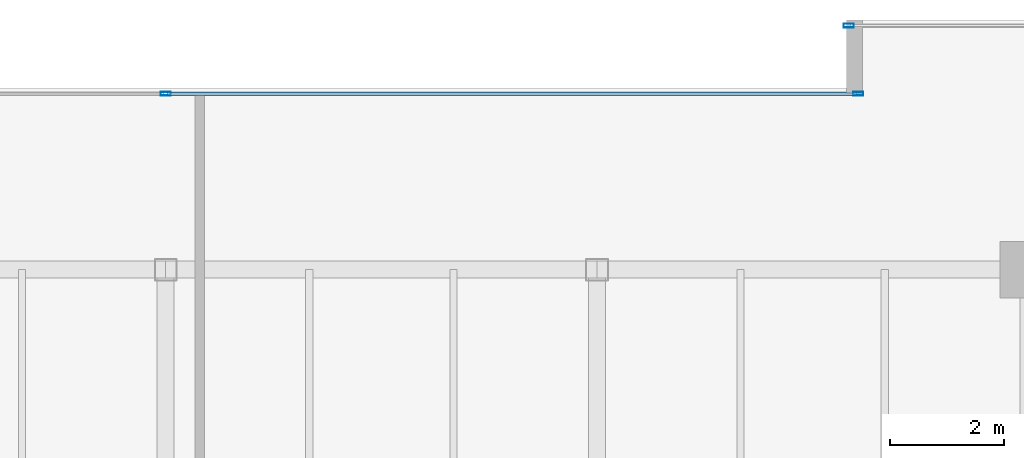
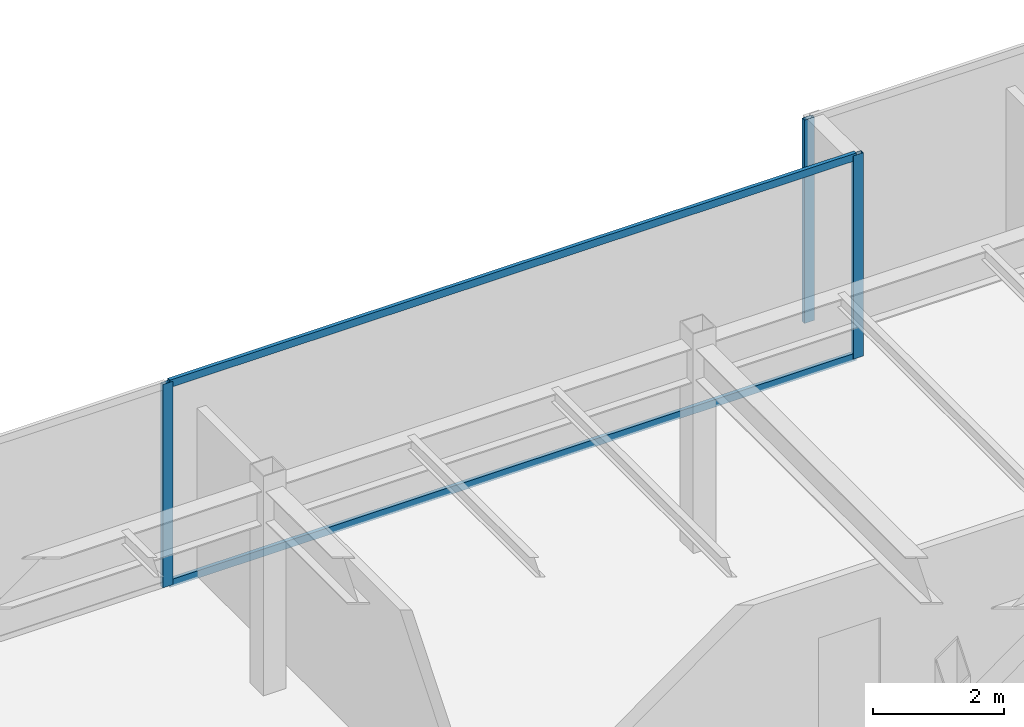
# One storey, part 19 of 33: 5 members, 2 elements without a shape of their own.
"""IFC4 building model written with IfcOpenShell, lengths in metres."""

from ifc_helpers import new_model, si_unit, direction, frame, origin, origin_2d, place, context, subcontext, project, spatial, hollow_rectangle, extrude, source, transform, mapped, material, layer, layer_set, material_profile, profile_set, type_object, type_shapes, element, aggregate, save


model = new_model("IFC4")

# Units and contexts
model_context = context("Model", 3, precision=1e-05, world=origin(), true_north=direction((0.0, 1.0)))
body_context = subcontext(model_context, "Body", "Model", "MODEL_VIEW")
ifc_project = project(units=[si_unit("LENGTHUNIT", "METRE"), si_unit("AREAUNIT", "SQUARE_METRE"), si_unit("VOLUMEUNIT", "CUBIC_METRE"), si_unit("PLANEANGLEUNIT", "RADIAN"), si_unit("MASSUNIT", "GRAM", prefix="KILO")], contexts=[model_context])

# Site, building, storey
site_placement = place(None, origin())
site = spatial("IfcSite", under=ifc_project, at=site_placement, CompositionType="ELEMENT")
building_placement = place(site_placement, origin())
building = spatial("IfcBuilding", under=site, at=building_placement, Name="Haelvirn Gate Laboratories", CompositionType="ELEMENT")
storey_placement = place(building_placement, frame((0.0, 0.0, 271.10009765625)))
storey = spatial("IfcBuildingStorey", under=building, at=storey_placement, Name="L65", CompositionType="ELEMENT", Elevation=271.10009765625)

# Curtain wall, members
ifc_material_1 = material(Name="Anodised bronze unitised aluminium & triple low-E glass", Category="aluminium")
ifc_layer = layer(ifc_material_1, 0.176025390625, Name="CW-SYS-4")
ifc_layer_set = layer_set([ifc_layer], Name="Anodised bronze unitised aluminium & triple low-E glass")
curtain_wall_type = type_object("IfcCurtainWallType", Name="CW-SYS-4", PredefinedType="NOTDEFINED", material=ifc_layer_set)
curtain_wall_1_placement = place(storey_placement, origin())
curtain_wall_1 = element("IfcCurtainWall", 1, at=curtain_wall_1_placement, inside=storey, type_object=curtain_wall_type, Name="L65 Unitised Curtain Wall CW-L65-P0-E12-1", PredefinedType="NOTDEFINED")
ifc_material_2 = material(Name="Extruded aluminium 6063-T6 (anodised bronze)", Category="aluminium")
ifc_material_profile_1 = material_profile(ifc_material_2, hollow_rectangle(XDim=0.06494140625, YDim=0.139892578125, WallThickness=0.00390625, at=origin_2d()), Name="CWT-140x65x4")
ifc_profile_set_1 = profile_set([ifc_material_profile_1], Name="Extruded aluminium 6063-T6 (anodised bronze)")
member_type_1 = type_object("IfcMemberType", Name="CWT-T140", PredefinedType="USERDEFINED", material=ifc_profile_set_1)
shared_shape_1 = source(origin(), body_context, "Body", "SweptSolid", [
    extrude(hollow_rectangle(XDim=0.06494140625, YDim=0.139892578125, WallThickness=0.00390625, at=origin_2d()), origin(), (0.0, 0.0, 1.0), 12.135009765625),
])
type_shapes(member_type_1, [shared_shape_1])
member_1_placement = place(storey_placement, frame((37.43505859375, 44.699951171875, 0.032470703125), z_axis=(1.0, 0.0, 0.0), x_axis=(0.0, 1.0, 0.0)))
member_1 = element("IfcMember", 2, at=member_1_placement, type_object=member_type_1, Name="CW4 transom 2.1", ObjectType="TRANSOM", PredefinedType="USERDEFINED", context=body_context, shape_type="MappedRepresentation", body=[
    mapped(shared_shape_1, transform((0.0, 0.0, 0.0), scale=1.0)),
])
member_2_placement = place(storey_placement, frame((37.43505859375, 44.699951171875, 3.767333984375), z_axis=(1.0, 0.0, 0.0), x_axis=(0.0, 1.0, 0.0)))
member_2 = element("IfcMember", 3, at=member_2_placement, type_object=member_type_1, Name="CW4 transom 2.2", ObjectType="TRANSOM", PredefinedType="USERDEFINED", context=body_context, shape_type="MappedRepresentation", body=[
    mapped(shared_shape_1, transform((0.0, 0.0, 0.0), scale=1.0)),
])

# Curtain wall, member
curtain_wall_2_placement = place(storey_placement, origin())
curtain_wall_2 = element("IfcCurtainWall", 4, at=curtain_wall_2_placement, inside=storey, type_object=curtain_wall_type, Name="L65 Unitised Curtain Wall CW-L65-P0-E10-1", PredefinedType="NOTDEFINED")
ifc_material_profile_2 = material_profile(ifc_material_2, hollow_rectangle(XDim=0.070068359375, YDim=0.179931640625, WallThickness=0.0048828125, at=origin_2d()), Name="CWM-180x70x5")
ifc_profile_set_2 = profile_set([ifc_material_profile_2], Name="Extruded aluminium 6063-T6 (anodised bronze)")
member_type_2 = type_object("IfcMemberType", Name="CWM-T180", PredefinedType="MULLION", material=ifc_profile_set_2)
shared_shape_2 = source(origin(), body_context, "Body", "SweptSolid", [
    extrude(hollow_rectangle(XDim=0.070068359375, YDim=0.179931640625, WallThickness=0.0048828125, at=origin_2d()), origin(), (0.0, 0.0, 1.0), 3.7998046875),
])
type_shapes(member_type_2, [shared_shape_2])
member_3_placement = place(storey_placement, frame((49.43505859375, 45.89990234375, 0.0), z_axis=(0.0, 0.0, 1.0), x_axis=(0.0, 1.0, 0.0)))
member_3 = element("IfcMember", 5, at=member_3_placement, type_object=member_type_2, Name="CW4 mullion 1", PredefinedType="MULLION", context=body_context, shape_type="MappedRepresentation", body=[
    mapped(shared_shape_2, transform((0.0, 0.0, 0.0), scale=1.0)),
])
aggregate(curtain_wall_2, [member_3])

# Member
member_4_placement = place(storey_placement, frame((37.39990234375, 44.699951171875, 0.0), z_axis=(0.0, 0.0, 1.0), x_axis=(0.0, 1.0, 0.0)))
member_4 = element("IfcMember", 6, at=member_4_placement, type_object=member_type_2, Name="CW4 mullion 2", PredefinedType="MULLION", context=body_context, shape_type="MappedRepresentation", body=[
    mapped(shared_shape_2, transform((0.0, 0.0, 0.0), scale=1.0)),
])

member_5_placement = place(storey_placement, frame((49.60498046875, 44.699951171875, 0.0), z_axis=(0.0, 0.0, 1.0), x_axis=(0.0, 1.0, 0.0)))
member_5 = element("IfcMember", 7, at=member_5_placement, type_object=member_type_2, Name="CW4 mullion 3", PredefinedType="MULLION", context=body_context, shape_type="MappedRepresentation", body=[
    mapped(shared_shape_2, transform((0.0, 0.0, 0.0), scale=1.0)),
])

aggregate(curtain_wall_1, [member_4, member_5, member_1, member_2])

save(model, "model.ifc")
